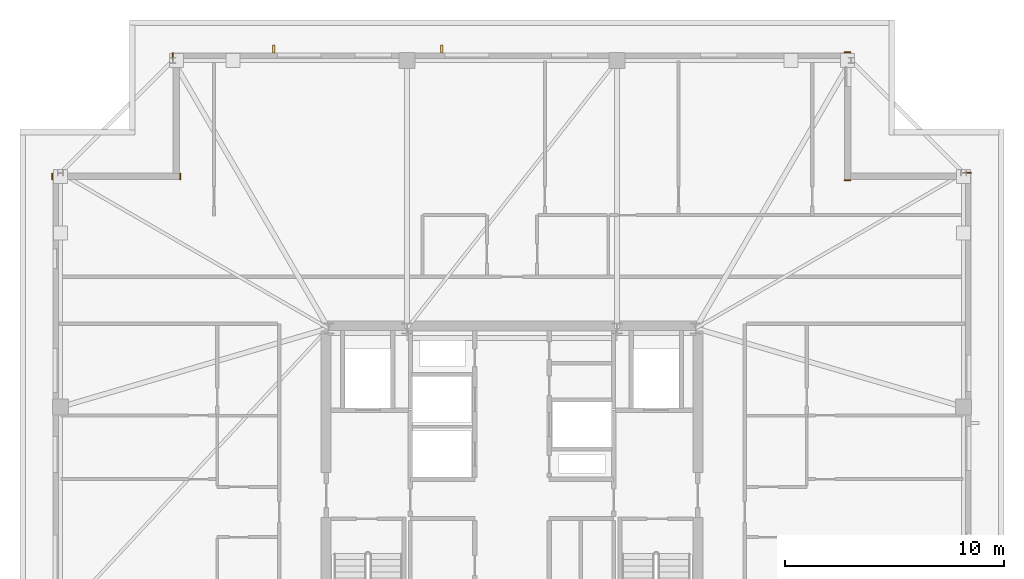
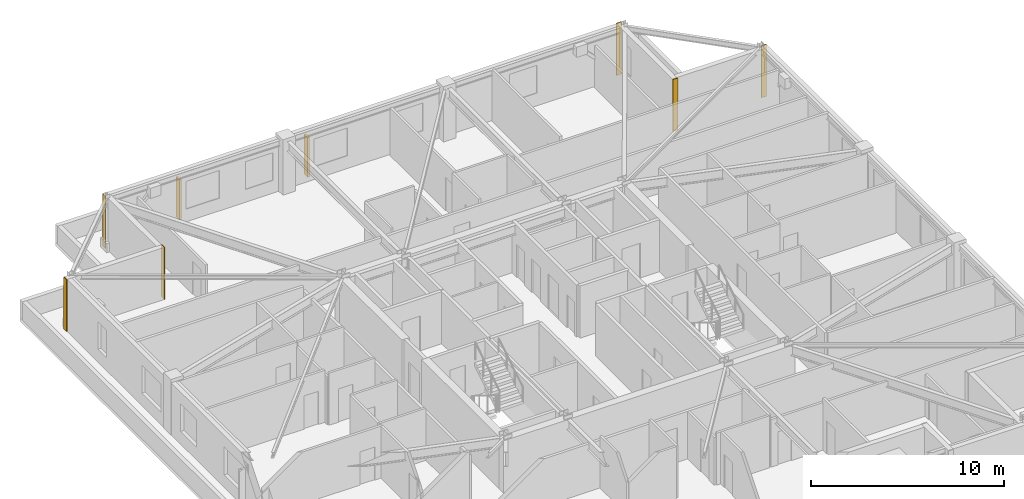
# One storey, part 15 of 15: 6 coverings, 2 shading devices.
"""IFC4 building model written with IfcOpenShell, lengths in metres."""

from ifc_helpers import new_model, si_unit, direction, frame, frame_2d, origin, origin_2d, place, context, subcontext, project, spatial, rectangle, extrude, material, layer, layer_set, type_object, element, save


model = new_model("IFC4")

# Units and contexts
model_context = context("Model", 3, precision=1e-05, world=origin(), true_north=direction((0.0, 1.0)))
body_context = subcontext(model_context, "Body", "Model", "MODEL_VIEW")
ifc_project = project(units=[si_unit("LENGTHUNIT", "METRE"), si_unit("AREAUNIT", "SQUARE_METRE"), si_unit("VOLUMEUNIT", "CUBIC_METRE"), si_unit("PLANEANGLEUNIT", "RADIAN"), si_unit("MASSUNIT", "GRAM", prefix="KILO")], contexts=[model_context])

# Site, building, storey
site_placement = place(None, origin())
site = spatial("IfcSite", under=ifc_project, at=site_placement, CompositionType="ELEMENT")
building_placement = place(site_placement, origin())
building = spatial("IfcBuilding", under=site, at=building_placement, Name="Cairnveth Concourse Tower", CompositionType="ELEMENT")
storey_placement = place(building_placement, frame((0.0, 0.0, 280.5)))
storey = spatial("IfcBuildingStorey", under=building, at=storey_placement, Name="L77", CompositionType="ELEMENT", Elevation=280.5)

# Coverings
ifc_material_1 = material(Name="Dressed Melbourne Bluestone Cladding", Category="masonry")
ifc_layer = layer(ifc_material_1, 0.050048828125)
ifc_layer_set = layer_set([ifc_layer], Name="Dressed Melbourne Bluestone Cladding")
covering_type = type_object("IfcCoveringType", Name="DRESSED BLUESTONE PLINTH CLADDING 50", PredefinedType="CLADDING", material=ifc_layer_set)
for number, where, z_axis, x_axis, name in (
    (1, (30.97998046875, 54.199951171875, 0.0), (0.0, 0.0, 1.0), (0.0, 1.0, 0.0), "Melbourne Bluestone Corner Quoin L77-1167"),
    (2, (36.820068359375, 54.199951171875, 0.0), (0.0, 0.0, 1.0), (0.0, 1.0, 0.0), "Melbourne Bluestone Corner Quoin L77-1168"),
    (3, (36.47998046875, 59.699951171875, 0.0), (0.0, 0.0, 1.0), (0.0, 1.0, 0.0), "Melbourne Bluestone Corner Quoin L77-1169"),
    (4, (67.199951171875, 60.02001953125, 0.0), (0.0, 0.0, 1.0), (1.0, 0.0, 0.0), "Melbourne Bluestone Corner Quoin L77-1170"),
    (5, (67.199951171875, 54.179931640625, 0.0), (0.0, 0.0, 1.0), (1.0, 0.0, 0.0), "Melbourne Bluestone Corner Quoin L77-1171"),
    (6, (72.699951171875, 54.52001953125, 0.0), (0.0, 0.0, 1.0), (1.0, 0.0, 0.0), "Melbourne Bluestone Corner Quoin L77-1172"),
):
    element("IfcCovering", number, at=place(storey_placement, frame(where, z_axis=z_axis, x_axis=x_axis)), inside=storey, type_object=covering_type, Name=name, PredefinedType="CLADDING", context=body_context, shape_type="SweptSolid", body=[
        extrude(rectangle(XDim=0.300048828125, YDim=0.050048828125, at=frame_2d((0.14990234375, 0.0))), origin(), (0.0, 0.0, 1.0), 3.2900390625),
    ])

# Shading devices
ifc_material_2 = material(Name="Architectural Bronze Anodised Aluminium 6063-T6", Category="aluminium")
shading_device_type = type_object("IfcShadingDeviceType", Name="GOTHIC BRONZE VERTICAL LANCET FIN", PredefinedType="USERDEFINED", material=ifc_material_2)
for number, where, z_axis, x_axis, name in (
    (7, (41.1083984375, 60.175048828125, 0.030029296875), (0.0, 0.0, 1.0), (1.0, 0.0, 0.0), "Gothic Bronze Vertical Fin L77-6-1"),
    (8, (48.782470703125, 60.175048828125, 0.030029296875), (0.0, 0.0, 1.0), (1.0, 0.0, 0.0), "Gothic Bronze Vertical Fin L77-6-3"),
):
    element("IfcShadingDevice", number, at=place(storey_placement, frame(where, z_axis=z_axis, x_axis=x_axis)), inside=storey, type_object=shading_device_type, Name=name, ObjectType="VERTICAL FIN", PredefinedType="USERDEFINED", context=body_context, shape_type="SweptSolid", body=[
        extrude(rectangle(XDim=0.1201171875, YDim=0.360107421875, at=origin_2d()), origin(), (0.0, 0.0, 1.0), 2.51806640625),
    ])

save(model, "model.ifc")
